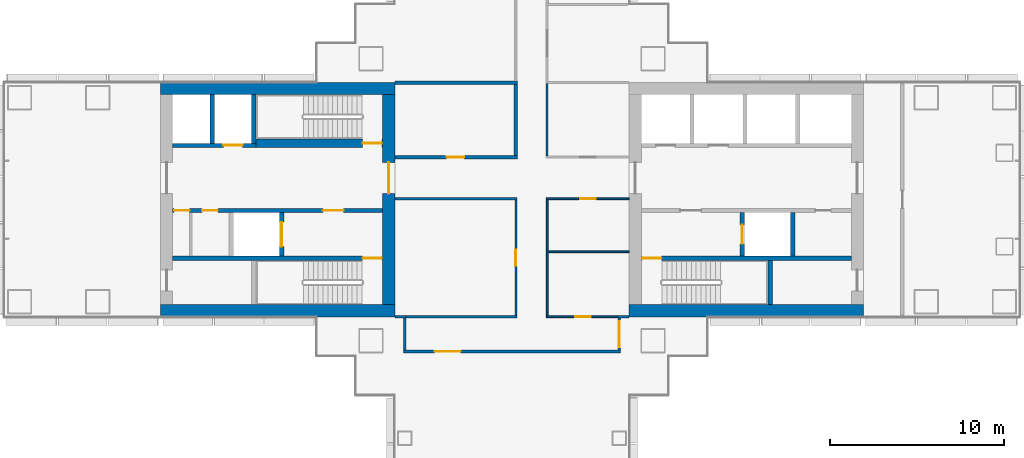
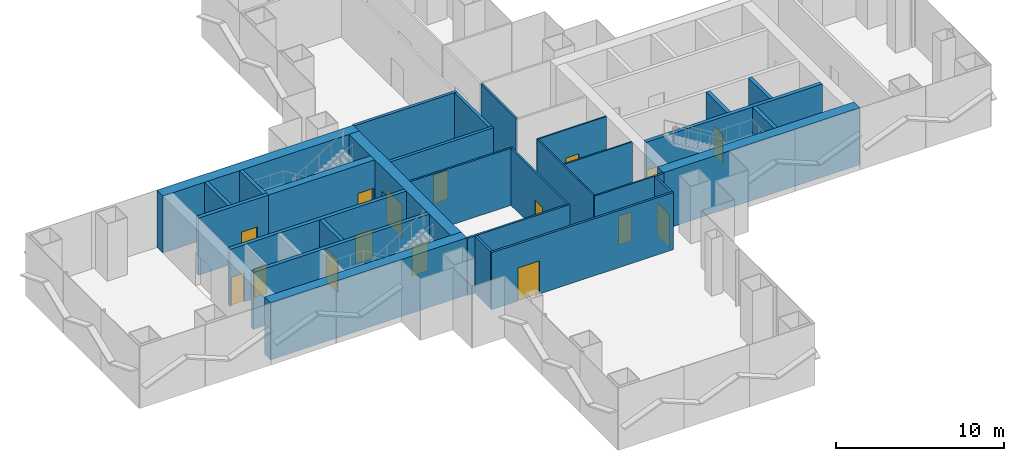
# One storey, part 14 of 22: 31 walls, 16 doors, 16 openings.
"""IFC4 building model written with IfcOpenShell, lengths in metres."""

from ifc_helpers import new_model, si_unit, direction, frame, frame_2d, origin, place, context, subcontext, project, spatial, rectangle, extrude, material, layer, layer_set, type_object, element, fill, save


model = new_model("IFC4")

# Units and contexts
model_context = context("Model", 3, precision=1e-05, world=origin(), true_north=direction((0.0, 1.0)))
body_context = subcontext(model_context, "Body", "Model", "MODEL_VIEW")
ifc_project = project(units=[si_unit("LENGTHUNIT", "METRE"), si_unit("AREAUNIT", "SQUARE_METRE"), si_unit("VOLUMEUNIT", "CUBIC_METRE"), si_unit("PLANEANGLEUNIT", "RADIAN"), si_unit("MASSUNIT", "GRAM", prefix="KILO")], contexts=[model_context])

# Site, building, storey
site_placement = place(None, origin())
site = spatial("IfcSite", under=ifc_project, at=site_placement, CompositionType="ELEMENT")
building_placement = place(site_placement, origin())
building = spatial("IfcBuilding", under=site, at=building_placement, Name="Shamsa Quay Exchange Towers", CompositionType="ELEMENT")
storey_placement = place(building_placement, frame((0.0, 0.0, 33.0)))
storey = spatial("IfcBuildingStorey", under=building, at=storey_placement, Name="L06", CompositionType="ELEMENT", Elevation=33.0)

# Walls
ifc_material_1 = material(Name="Concrete C80/95", Category="concrete")
ifc_layer_1 = layer(ifc_material_1, 0.699951171875)
ifc_layer_set_1 = layer_set([ifc_layer_1], Name="CORE WALL 700 C80/95")
wall_type_1 = type_object("IfcWallType", Name="CORE WALL 700 C80/95", PredefinedType="SHEAR", material=ifc_layer_set_1)
wall_1_placement = place(storey_placement, frame((-27.0, -6.39990234375, 0.0)))
element("IfcWall", 1, at=wall_1_placement, inside=storey, type_object=wall_type_1, Name="Core wall T1A-R02-PS", PredefinedType="SHEAR", context=body_context, shape_type="SweptSolid", body=[
    extrude(rectangle(XDim=13.5, YDim=0.699951171875, at=frame_2d((6.75, 0.0))), origin(), (0.0, 0.0, 1.0), 4.14990234375),
])
for number, where, z_axis, x_axis, name in (
    (2, (-40.5, -6.39990234375, 0.0), (0.0, 0.0, 1.0), (-1.0, 0.0, 0.0), "Core wall T1B-R02-PS"),
    (3, (-40.5, 6.39990234375, 0.0), (0.0, 0.0, 1.0), (-1.0, 0.0, 0.0), "Core wall T1B-R02-PN"),
):
    element("IfcWall", number, at=place(storey_placement, frame(where, z_axis=z_axis, x_axis=x_axis)), inside=storey, type_object=wall_type_1, Name=name, PredefinedType="SHEAR", context=body_context, shape_type="SweptSolid", body=[
        extrude(rectangle(XDim=13.5, YDim=0.699951171875, at=frame_2d((6.75, 0.0))), origin(), (0.0, 0.0, 1.0), 4.14990234375),
    ])

# Wall, opening, door
wall_2_placement = place(storey_placement, frame((-40.85009765625, -6.050048828125, 0.0), z_axis=(0.0, 0.0, 1.0), x_axis=(0.0, 1.0, 0.0)))
wall_2 = element("IfcWall", 4, at=wall_2_placement, inside=storey, type_object=wall_type_1, Name="Core wall T1B-R02-PF", PredefinedType="SHEAR", context=body_context, shape_type="SweptSolid", body=[
    extrude(rectangle(XDim=12.10009765625, YDim=0.699951171875, at=frame_2d((6.050048828125, 0.0))), origin(), (0.0, 0.0, 1.0), 4.14990234375),
])
opening_1_placement = place(wall_2_placement, frame((6.39990234375, 0.0, 0.0)))
opening_1 = element("IfcOpeningElement", 5, at=opening_1_placement, cuts=wall_2, Name="Opening T1B-R02-LBD01", PredefinedType="OPENING", context=body_context, shape_type="SweptSolid", body=[
    extrude(rectangle(XDim=1.800048828125, YDim=2.39990234375, at=frame_2d((0.89990234375, 1.199951171875))), frame((0.0, 0.35986328125, 0.0), z_axis=(0.0, -1.0, 0.0), x_axis=(1.0, 0.0, 0.0)), (0.0, 0.0, 1.0), 0.719970703125),
])
ifc_material_2 = material(Name="Steel, fire rated", Category="steel")
door_type_1 = type_object("IfcDoorType", Name="LIFT LOBBY DOOR PAIR 1800", OperationType="DOUBLE_DOOR_SINGLE_SWING", PredefinedType="DOOR", material=ifc_material_2)
door_1_placement = place(opening_1_placement, origin())
door_1 = element("IfcDoor", 6, at=door_1_placement, inside=storey, type_object=door_type_1, Name="T1B-R02-LBD01", OperationType="DOUBLE_DOOR_SINGLE_SWING", OverallHeight=2.39990234375, OverallWidth=1.800048828125, PredefinedType="DOOR", context=body_context, shape_type="SweptSolid", body=[
    extrude(rectangle(XDim=1.800048828125, YDim=2.39990234375, at=frame_2d((0.89990234375, 1.199951171875))), frame((0.0, 0.02490234375, 0.0), z_axis=(0.0, -1.0, 0.0), x_axis=(1.0, 0.0, 0.0)), (0.0, 0.0, 1.0), 0.050048828125),
])
fill(opening_1, door_1)

# Walls
ifc_material_3 = material(Name="Laminated fire-resisting glass in a metal frame", Category="glass")
ifc_layer_2 = layer(ifc_material_3, 0.125)
ifc_layer_set_2 = layer_set([ifc_layer_2], Name="Glazed partition 125 mm EI 60")
wall_type_2 = type_object("IfcWallType", Name="Glazed partition 125 mm EI 60", PredefinedType="PARTITIONING", material=ifc_layer_set_2)
wall_3_placement = place(storey_placement, frame((-31.724609375, 6.6875, 0.0), z_axis=(0.0, 0.0, 1.0), x_axis=(0.0, -1.0, 0.0)))
element("IfcWall", 7, at=wall_3_placement, inside=storey, type_object=wall_type_2, Name="Partition T1-R02-W02", PredefinedType="PARTITIONING", context=body_context, shape_type="SweptSolid", body=[
    extrude(rectangle(XDim=4.1748046875, YDim=0.125, at=frame_2d((2.08740234375, 0.0))), origin(), (0.0, 0.0, 1.0), 4.14990234375),
])
wall_4_placement = place(storey_placement, frame((-39.999755859375, -6.75, 0.0)))
element("IfcWall", 8, at=wall_4_placement, inside=storey, type_object=wall_type_2, Name="Partition T1-R02-W09", PredefinedType="PARTITIONING", context=body_context, shape_type="SweptSolid", body=[
    extrude(rectangle(XDim=6.536865234375, YDim=0.125, at=frame_2d((3.2685546875, 0.0))), origin(), (0.0, 0.0, 1.0), 4.14990234375),
])

# Wall, opening, door
wall_5_placement = place(storey_placement, frame((-33.525390625, -6.6875, 0.0), z_axis=(0.0, 0.0, 1.0), x_axis=(0.0, 1.0, 0.0)))
wall_5 = element("IfcWall", 9, at=wall_5_placement, inside=storey, type_object=wall_type_2, Name="Partition T1-R02-W10", PredefinedType="PARTITIONING", context=body_context, shape_type="SweptSolid", body=[
    extrude(rectangle(XDim=6.6748046875, YDim=0.125, at=frame_2d((3.33740234375, 0.0))), origin(), (0.0, 0.0, 1.0), 4.14990234375),
])
opening_2_placement = place(wall_5_placement, frame((2.887451171875, 0.0, 0.0)))
opening_2 = element("IfcOpeningElement", 10, at=opening_2_placement, cuts=wall_5, Name="Opening T1-R02-D03", PredefinedType="OPENING", context=body_context, shape_type="SweptSolid", body=[
    extrude(rectangle(XDim=0.89990234375, YDim=2.10009765625, at=frame_2d((0.449951171875, 1.050048828125))), frame((0.0, 0.072509765625, 0.0), z_axis=(0.0, -1.0, 0.0), x_axis=(1.0, 0.0, 0.0)), (0.0, 0.0, 1.0), 0.14501953125),
])
ifc_material_4 = material(Name="Timber door leaf in a metal frame", Category="wood")
door_type_2 = type_object("IfcDoorType", Name="Door 900x2100 FD30S", OperationType="NOTDEFINED", PredefinedType="DOOR", material=ifc_material_4)
door_2_placement = place(opening_2_placement, origin())
door_2 = element("IfcDoor", 11, at=door_2_placement, inside=storey, type_object=door_type_2, Name="Door T1-R02-D03", OperationType="SINGLE_SWING_RIGHT", OverallHeight=2.10009765625, OverallWidth=0.89990234375, PredefinedType="DOOR", context=body_context, shape_type="SweptSolid", body=[
    extrude(rectangle(XDim=0.89990234375, YDim=2.10009765625, at=frame_2d((0.449951171875, 1.050048828125))), frame((0.0, 0.02490234375, 0.0), z_axis=(0.0, -1.0, 0.0), x_axis=(1.0, 0.0, 0.0)), (0.0, 0.0, 1.0), 0.050048828125),
])
fill(opening_2, door_2)

# Walls
wall_6_placement = place(storey_placement, frame((-33.462890625, 0.0498046875, 0.0), z_axis=(0.0, 0.0, 1.0), x_axis=(-1.0, 0.0, 0.0)))
element("IfcWall", 12, at=wall_6_placement, inside=storey, type_object=wall_type_2, Name="Partition T1-R02-W12", PredefinedType="PARTITIONING", context=body_context, shape_type="SweptSolid", body=[
    extrude(rectangle(XDim=7.037109375, YDim=0.125, at=frame_2d((3.5185546875, 0.0))), origin(), (0.0, 0.0, 1.0), 4.14990234375),
])
ifc_material_5 = material(Name="Gypsum board partition on metal studs")
ifc_layer_3 = layer(ifc_material_5, 0.10009765625)
ifc_layer_set_3 = layer_set([ifc_layer_3], Name="Partition 100 mm NOT RATED")
wall_type_3 = type_object("IfcWallType", Name="Partition 100 mm NOT RATED", PredefinedType="PARTITIONING", material=ifc_layer_set_3)
wall_7_placement = place(storey_placement, frame((-31.724609375, -0.000244140625, 0.0), z_axis=(0.0, 0.0, 1.0), x_axis=(0.0, -1.0, 0.0)))
element("IfcWall", 13, at=wall_7_placement, inside=storey, type_object=wall_type_3, Name="Partition T1-R02-W04", PredefinedType="PARTITIONING", context=body_context, shape_type="SweptSolid", body=[
    extrude(rectangle(XDim=6.69970703125, YDim=0.10009765625, at=frame_2d((3.349853515625, 0.0))), origin(), (0.0, 0.0, 1.0), 4.14990234375),
])

# Wall, opening, door
wall_8_placement = place(storey_placement, frame((-31.774658203125, -6.75, 0.0)))
wall_8 = element("IfcWall", 14, at=wall_8_placement, inside=storey, type_object=wall_type_3, Name="Partition T1-R02-W05", PredefinedType="PARTITIONING", context=body_context, shape_type="SweptSolid", body=[
    extrude(rectangle(XDim=4.2744140625, YDim=0.10009765625, at=frame_2d((2.13720703125, 0.0))), origin(), (0.0, 0.0, 1.0), 4.14990234375),
])
opening_3_placement = place(wall_8_placement, frame((1.6748046875, 0.0, 0.0)))
opening_3 = element("IfcOpeningElement", 15, at=opening_3_placement, cuts=wall_8, Name="Opening T1-R02-D06", PredefinedType="OPENING", context=body_context, shape_type="SweptSolid", body=[
    extrude(rectangle(XDim=0.89990234375, YDim=2.10009765625, at=frame_2d((0.449951171875, 1.050048828125))), frame((0.0, 0.06005859375, 0.0), z_axis=(0.0, -1.0, 0.0), x_axis=(1.0, 0.0, 0.0)), (0.0, 0.0, 1.0), 0.1201171875),
])
door_type_3 = type_object("IfcDoorType", Name="Door 900x2100 NOT RATED", OperationType="NOTDEFINED", PredefinedType="DOOR", material=ifc_material_4)
door_3_placement = place(opening_3_placement, origin())
door_3 = element("IfcDoor", 16, at=door_3_placement, inside=storey, type_object=door_type_3, Name="Door T1-R02-D06", OperationType="SINGLE_SWING_RIGHT", OverallHeight=2.10009765625, OverallWidth=0.89990234375, PredefinedType="DOOR", context=body_context, shape_type="SweptSolid", body=[
    extrude(rectangle(XDim=0.89990234375, YDim=2.10009765625, at=frame_2d((0.449951171875, 1.050048828125))), frame((0.0, 0.02490234375, 0.0), z_axis=(0.0, -1.0, 0.0), x_axis=(1.0, 0.0, 0.0)), (0.0, 0.0, 1.0), 0.050048828125),
])
fill(opening_3, door_3)

wall_9_placement = place(storey_placement, frame((-27.0, 0.0498046875, 0.0), z_axis=(0.0, 0.0, 1.0), x_axis=(-1.0, 0.0, 0.0)))
wall_9 = element("IfcWall", 17, at=wall_9_placement, inside=storey, type_object=wall_type_3, Name="Partition T1-R02-W06", PredefinedType="PARTITIONING", context=body_context, shape_type="SweptSolid", body=[
    extrude(rectangle(XDim=4.774658203125, YDim=0.10009765625, at=frame_2d((2.38720703125, 0.0))), origin(), (0.0, 0.0, 1.0), 4.14990234375),
])
opening_4_placement = place(wall_9_placement, frame((1.912353515625, 0.0, 0.0)))
opening_4 = element("IfcOpeningElement", 18, at=opening_4_placement, cuts=wall_9, Name="Opening T1-R02-D11", PredefinedType="OPENING", context=body_context, shape_type="SweptSolid", body=[
    extrude(rectangle(XDim=0.89990234375, YDim=2.10009765625, at=frame_2d((0.449951171875, 1.050048828125))), frame((0.0, 0.06005859375, 0.0), z_axis=(0.0, -1.0, 0.0), x_axis=(1.0, 0.0, 0.0)), (0.0, 0.0, 1.0), 0.1201171875),
])
door_4_placement = place(opening_4_placement, origin())
door_4 = element("IfcDoor", 19, at=door_4_placement, inside=storey, type_object=door_type_3, Name="Door T1-R02-D11", OperationType="SINGLE_SWING_LEFT", OverallHeight=2.10009765625, OverallWidth=0.89990234375, PredefinedType="DOOR", context=body_context, shape_type="SweptSolid", body=[
    extrude(rectangle(XDim=0.89990234375, YDim=2.10009765625, at=frame_2d((0.449951171875, 1.050048828125))), frame((0.0, 0.02490234375, 0.0), z_axis=(0.0, -1.0, 0.0), x_axis=(1.0, 0.0, 0.0)), (0.0, 0.0, 1.0), 0.050048828125),
])
fill(opening_4, door_4)

# Wall
wall_10_placement = place(storey_placement, frame((-27.0, -3.0, 0.0), z_axis=(0.0, 0.0, 1.0), x_axis=(-1.0, 0.0, 0.0)))
element("IfcWall", 20, at=wall_10_placement, inside=storey, type_object=wall_type_3, Name="Partition T1-R02-W20", PredefinedType="PARTITIONING", context=body_context, shape_type="SweptSolid", body=[
    extrude(rectangle(XDim=4.674560546875, YDim=0.10009765625, at=frame_2d((2.33740234375, 0.0))), origin(), (0.0, 0.0, 1.0), 4.14990234375),
])

# Wall, opening, door
ifc_layer_4 = layer(ifc_material_5, 0.14990234375)
ifc_layer_set_4 = layer_set([ifc_layer_4], Name="Partition 150 mm EI 60")
wall_type_4 = type_object("IfcWallType", Name="Partition 150 mm EI 60", PredefinedType="PARTITIONING", material=ifc_layer_set_4)
wall_11_placement = place(storey_placement, frame((-27.5751953125, -8.675048828125, 0.0), z_axis=(0.0, 0.0, 1.0), x_axis=(0.0, 1.0, 0.0)))
wall_11 = element("IfcWall", 21, at=wall_11_placement, inside=storey, type_object=wall_type_4, Name="Partition T1-R02-W15", PredefinedType="PARTITIONING", context=body_context, shape_type="SweptSolid", body=[
    extrude(rectangle(XDim=1.85009765625, YDim=0.14990234375, at=frame_2d((0.925048828125, 0.0))), origin(), (0.0, 0.0, 1.0), 4.14990234375),
])
opening_5_placement = place(wall_11_placement, frame((0.175048828125, 0.0, 0.0)))
opening_5 = element("IfcOpeningElement", 22, at=opening_5_placement, cuts=wall_11, Name="Opening T1-R02-D10", PredefinedType="OPENING", context=body_context, shape_type="SweptSolid", body=[
    extrude(rectangle(XDim=1.5, YDim=2.39990234375, at=frame_2d((0.75, 1.199951171875))), frame((0.0, 0.0849609375, 0.0), z_axis=(0.0, -1.0, 0.0), x_axis=(1.0, 0.0, 0.0)), (0.0, 0.0, 1.0), 0.169921875),
])
door_type_4 = type_object("IfcDoorType", Name="Door 1500x2400 FD30S pair", OperationType="NOTDEFINED", PredefinedType="DOOR", material=ifc_material_4)
door_5_placement = place(opening_5_placement, origin())
door_5 = element("IfcDoor", 23, at=door_5_placement, inside=storey, type_object=door_type_4, Name="Door T1-R02-D10", OperationType="DOUBLE_DOOR_SINGLE_SWING", OverallHeight=2.39990234375, OverallWidth=1.5, PredefinedType="DOOR", context=body_context, shape_type="SweptSolid", body=[
    extrude(rectangle(XDim=1.5, YDim=2.39990234375, at=frame_2d((0.75, 1.199951171875))), frame((0.0, 0.02490234375, 0.0), z_axis=(0.0, -1.0, 0.0), x_axis=(1.0, 0.0, 0.0)), (0.0, 0.0, 1.0), 0.050048828125),
])
fill(opening_5, door_5)

wall_12_placement = place(storey_placement, frame((-39.999755859375, -8.75, 0.0)))
wall_12 = element("IfcWall", 24, at=wall_12_placement, inside=storey, type_object=wall_type_4, Name="Partition T1-R02-W16", PredefinedType="PARTITIONING", context=body_context, shape_type="SweptSolid", body=[
    extrude(rectangle(XDim=12.49951171875, YDim=0.14990234375, at=frame_2d((6.249755859375, 0.0))), origin(), (0.0, 0.0, 1.0), 4.14990234375),
])
opening_6_placement = place(wall_12_placement, frame((1.794921875, 0.0, 0.0)))
opening_6 = element("IfcOpeningElement", 25, at=opening_6_placement, cuts=wall_12, Name="Opening T1-R02-D02", PredefinedType="OPENING", context=body_context, shape_type="SweptSolid", body=[
    extrude(rectangle(XDim=1.5, YDim=2.39990234375, at=frame_2d((0.75, 1.199951171875))), frame((0.0, 0.0849609375, 0.0), z_axis=(0.0, -1.0, 0.0), x_axis=(1.0, 0.0, 0.0)), (0.0, 0.0, 1.0), 0.169921875),
])
door_6_placement = place(opening_6_placement, origin())
door_6 = element("IfcDoor", 26, at=door_6_placement, inside=storey, type_object=door_type_4, Name="Door T1-R02-D02", OperationType="DOUBLE_DOOR_SINGLE_SWING", OverallHeight=2.39990234375, OverallWidth=1.5, PredefinedType="DOOR", context=body_context, shape_type="SweptSolid", body=[
    extrude(rectangle(XDim=1.5, YDim=2.39990234375, at=frame_2d((0.75, 1.199951171875))), frame((0.0, 0.02490234375, 0.0), z_axis=(0.0, -1.0, 0.0), x_axis=(1.0, 0.0, 0.0)), (0.0, 0.0, 1.0), 0.050048828125),
])
fill(opening_6, door_6)

# Walls
wall_13_placement = place(storey_placement, frame((-39.9248046875, -6.824951171875, 0.0), z_axis=(0.0, 0.0, 1.0), x_axis=(0.0, -1.0, 0.0)))
element("IfcWall", 27, at=wall_13_placement, inside=storey, type_object=wall_type_4, Name="Partition T1-R02-W17", PredefinedType="PARTITIONING", context=body_context, shape_type="SweptSolid", body=[
    extrude(rectangle(XDim=1.85009765625, YDim=0.14990234375, at=frame_2d((0.925048828125, 0.0))), origin(), (0.0, 0.0, 1.0), 4.14990234375),
])
for number, where, name in (
    (28, (-40.5, -6.75, 0.0), "Partition T1-R02-W21"),
    (29, (-27.650146484375, -6.75, 0.0), "Partition T1-R02-W22"),
):
    element("IfcWall", number, at=place(storey_placement, frame(where)), inside=storey, type_object=wall_type_4, Name=name, PredefinedType="PARTITIONING", context=body_context, shape_type="SweptSolid", body=[
        extrude(rectangle(XDim=0.650146484375, YDim=0.14990234375, at=frame_2d((0.3251953125, 0.0))), origin(), (0.0, 0.0, 1.0), 4.14990234375),
    ])

# Wall, opening, door
ifc_layer_5 = layer(ifc_material_5, 0.199951171875)
ifc_layer_set_5 = layer_set([ifc_layer_5], Name="Partition 200 mm EI 120")
wall_type_5 = type_object("IfcWallType", Name="Partition 200 mm EI 120", PredefinedType="PARTITIONING", material=ifc_layer_set_5)
wall_14_placement = place(storey_placement, frame((-40.5, 2.4501953125, 0.0)))
wall_14 = element("IfcWall", 30, at=wall_14_placement, inside=storey, type_object=wall_type_5, Name="Partition T1-R02-W07", PredefinedType="PARTITIONING", context=body_context, shape_type="SweptSolid", body=[
    extrude(rectangle(XDim=7.07470703125, YDim=0.199951171875, at=frame_2d((3.537353515625, 0.0))), origin(), (0.0, 0.0, 1.0), 4.14990234375),
])
opening_7_placement = place(wall_14_placement, frame((2.9873046875, 0.0, 0.0)))
opening_7 = element("IfcOpeningElement", 31, at=opening_7_placement, cuts=wall_14, Name="Opening T1-R02-D01", PredefinedType="OPENING", context=body_context, shape_type="SweptSolid", body=[
    extrude(rectangle(XDim=1.0, YDim=2.10009765625, at=frame_2d((0.5, 1.050048828125))), frame((0.0, 0.10986328125, 0.0), z_axis=(0.0, -1.0, 0.0), x_axis=(1.0, 0.0, 0.0)), (0.0, 0.0, 1.0), 0.219970703125),
])
door_type_5 = type_object("IfcDoorType", Name="Door 1000x2100 FD60", OperationType="NOTDEFINED", PredefinedType="DOOR", material=ifc_material_4)
door_7_placement = place(opening_7_placement, origin())
door_7 = element("IfcDoor", 32, at=door_7_placement, inside=storey, type_object=door_type_5, Name="Door T1-R02-D01", OperationType="SINGLE_SWING_LEFT", OverallHeight=2.10009765625, OverallWidth=1.0, PredefinedType="DOOR", context=body_context, shape_type="SweptSolid", body=[
    extrude(rectangle(XDim=1.0, YDim=2.10009765625, at=frame_2d((0.5, 1.050048828125))), frame((0.0, 0.02490234375, 0.0), z_axis=(0.0, -1.0, 0.0), x_axis=(1.0, 0.0, 0.0)), (0.0, 0.0, 1.0), 0.050048828125),
])
fill(opening_7, door_7)

# Walls
wall_15_placement = place(storey_placement, frame((-33.525390625, 2.55029296875, 0.0), z_axis=(0.0, 0.0, 1.0), x_axis=(0.0, 1.0, 0.0)))
element("IfcWall", 33, at=wall_15_placement, inside=storey, type_object=wall_type_5, Name="Partition T1-R02-W08", PredefinedType="PARTITIONING", context=body_context, shape_type="SweptSolid", body=[
    extrude(rectangle(XDim=4.099609375, YDim=0.199951171875, at=frame_2d((2.0498046875, 0.0))), origin(), (0.0, 0.0, 1.0), 4.14990234375),
])
wall_16_placement = place(storey_placement, frame((-33.42529296875, 6.75, 0.0), z_axis=(0.0, 0.0, 1.0), x_axis=(-1.0, 0.0, 0.0)))
element("IfcWall", 34, at=wall_16_placement, inside=storey, type_object=wall_type_5, Name="Partition T1-R02-W23", PredefinedType="PARTITIONING", context=body_context, shape_type="SweptSolid", body=[
    extrude(rectangle(XDim=7.07470703125, YDim=0.199951171875, at=frame_2d((3.537353515625, 0.0))), origin(), (0.0, 0.0, 1.0), 4.14990234375),
])

# Wall, opening, door
ifc_material_6 = material(Name="Concrete C50/60", Category="concrete")
ifc_layer_6 = layer(ifc_material_6, 0.25)
ifc_layer_set_6 = layer_set([ifc_layer_6], Name="SHAFT WALL 250 C50/60")
wall_type_6 = type_object("IfcWallType", Name="SHAFT WALL 250 C50/60", PredefinedType="SHEAR", material=ifc_layer_set_6)
wall_17_placement = place(storey_placement, frame((-14.199951171875, -3.375, 0.0), z_axis=(0.0, 0.0, 1.0), x_axis=(-1.0, 0.0, 0.0)))
wall_17 = element("IfcWall", 35, at=wall_17_placement, inside=storey, type_object=wall_type_6, Name="Shaft wall T1A-R02-STL", PredefinedType="SHEAR", context=body_context, shape_type="SweptSolid", body=[
    extrude(rectangle(XDim=12.10009765625, YDim=0.25, at=frame_2d((6.050048828125, 0.0))), origin(), (0.0, 0.0, 1.0), 4.14990234375),
])
opening_8_placement = place(wall_17_placement, frame((10.949951171875, 0.0, 0.0)))
opening_8 = element("IfcOpeningElement", 36, at=opening_8_placement, cuts=wall_17, Name="Opening T1A-R02-SD04", PredefinedType="OPENING", context=body_context, shape_type="SweptSolid", body=[
    extrude(rectangle(XDim=1.10009765625, YDim=2.10009765625, at=frame_2d((0.550048828125, 1.050048828125))), frame((0.0, 0.135009765625, 0.0), z_axis=(0.0, -1.0, 0.0), x_axis=(1.0, 0.0, 0.0)), (0.0, 0.0, 1.0), 0.27001953125),
])
door_type_6 = type_object("IfcDoorType", Name="STAIR DOOR 1100", OperationType="SINGLE_SWING_LEFT", PredefinedType="DOOR", material=ifc_material_2)
door_8_placement = place(opening_8_placement, origin())
door_8 = element("IfcDoor", 37, at=door_8_placement, inside=storey, type_object=door_type_6, Name="T1A-R02-SD04", OperationType="SINGLE_SWING_RIGHT", OverallHeight=2.10009765625, OverallWidth=1.10009765625, PredefinedType="DOOR", context=body_context, shape_type="SweptSolid", body=[
    extrude(rectangle(XDim=1.10009765625, YDim=2.10009765625, at=frame_2d((0.550048828125, 1.050048828125))), frame((0.0, 0.02490234375, 0.0), z_axis=(0.0, -1.0, 0.0), x_axis=(1.0, 0.0, 0.0)), (0.0, 0.0, 1.0), 0.050048828125),
])
fill(opening_8, door_8)

# Wall
wall_18_placement = place(storey_placement, frame((-18.875, -6.050048828125, 0.0), z_axis=(0.0, 0.0, 1.0), x_axis=(0.0, 1.0, 0.0)))
element("IfcWall", 38, at=wall_18_placement, inside=storey, type_object=wall_type_6, Name="Shaft wall T1A-R02-STF", PredefinedType="SHEAR", context=body_context, shape_type="SweptSolid", body=[
    extrude(rectangle(XDim=2.550048828125, YDim=0.25, at=frame_2d((1.27490234375, 0.0))), origin(), (0.0, 0.0, 1.0), 4.14990234375),
])

# Wall, opening, door
wall_19_placement = place(storey_placement, frame((-20.47509765625, -3.25, 0.0), z_axis=(0.0, 0.0, 1.0), x_axis=(0.0, 1.0, 0.0)))
wall_19 = element("IfcWall", 39, at=wall_19_placement, inside=storey, type_object=wall_type_6, Name="Shaft wall T1A-R02-FFF", PredefinedType="SHEAR", context=body_context, shape_type="SweptSolid", body=[
    extrude(rectangle(XDim=2.5, YDim=0.25, at=frame_2d((1.25, 0.0))), origin(), (0.0, 0.0, 1.0), 4.14990234375),
])
opening_9_placement = place(wall_19_placement, frame((0.699951171875, 0.0, 0.0)))
opening_9 = element("IfcOpeningElement", 40, at=opening_9_placement, cuts=wall_19, Name="Opening T1A-R02-LDF07", PredefinedType="OPENING", context=body_context, shape_type="SweptSolid", body=[
    extrude(rectangle(XDim=1.10009765625, YDim=2.10009765625, at=frame_2d((0.550048828125, 1.050048828125))), frame((0.0, 0.135009765625, 0.0), z_axis=(0.0, -1.0, 0.0), x_axis=(1.0, 0.0, 0.0)), (0.0, 0.0, 1.0), 0.27001953125),
])
door_type_7 = type_object("IfcDoorType", Name="FIRE SERVICE LANDING DOOR 1100", OperationType="SLIDING_TO_LEFT", PredefinedType="DOOR", material=ifc_material_2)
door_9_placement = place(opening_9_placement, origin())
door_9 = element("IfcDoor", 41, at=door_9_placement, inside=storey, type_object=door_type_7, Name="T1A-R02-LDF07", OperationType="SLIDING_TO_LEFT", OverallHeight=2.10009765625, OverallWidth=1.10009765625, PredefinedType="DOOR", context=body_context, shape_type="SweptSolid", body=[
    extrude(rectangle(XDim=1.10009765625, YDim=2.10009765625, at=frame_2d((0.550048828125, 1.050048828125))), frame((0.0, 0.02490234375, 0.0), z_axis=(0.0, -1.0, 0.0), x_axis=(1.0, 0.0, 0.0)), (0.0, 0.0, 1.0), 0.050048828125),
])
fill(opening_9, door_9)

# Wall
wall_20_placement = place(storey_placement, frame((-17.574951171875, -3.25, 0.0), z_axis=(0.0, 0.0, 1.0), x_axis=(0.0, 1.0, 0.0)))
element("IfcWall", 42, at=wall_20_placement, inside=storey, type_object=wall_type_6, Name="Shaft wall T1A-R02-FFB", PredefinedType="SHEAR", context=body_context, shape_type="SweptSolid", body=[
    extrude(rectangle(XDim=2.5, YDim=0.25, at=frame_2d((1.25, 0.0))), origin(), (0.0, 0.0, 1.0), 4.14990234375),
])

# Wall, opening, door
wall_21_placement = place(storey_placement, frame((-41.199951171875, -3.375, 0.0), z_axis=(0.0, 0.0, 1.0), x_axis=(-1.0, 0.0, 0.0)))
wall_21 = element("IfcWall", 43, at=wall_21_placement, inside=storey, type_object=wall_type_6, Name="Shaft wall T1B-R02-STL", PredefinedType="SHEAR", context=body_context, shape_type="SweptSolid", body=[
    extrude(rectangle(XDim=12.10009765625, YDim=0.25, at=frame_2d((6.050048828125, 0.0))), origin(), (0.0, 0.0, 1.0), 4.14990234375),
])
opening_10_placement = place(wall_21_placement, frame((0.050048828125, 0.0, 0.0)))
opening_10 = element("IfcOpeningElement", 44, at=opening_10_placement, cuts=wall_21, Name="Opening T1B-R02-SD04", PredefinedType="OPENING", context=body_context, shape_type="SweptSolid", body=[
    extrude(rectangle(XDim=1.10009765625, YDim=2.10009765625, at=frame_2d((0.550048828125, 1.050048828125))), frame((0.0, 0.135009765625, 0.0), z_axis=(0.0, -1.0, 0.0), x_axis=(1.0, 0.0, 0.0)), (0.0, 0.0, 1.0), 0.27001953125),
])
door_10_placement = place(opening_10_placement, origin())
door_10 = element("IfcDoor", 45, at=door_10_placement, inside=storey, type_object=door_type_6, Name="T1B-R02-SD04", OperationType="SINGLE_SWING_LEFT", OverallHeight=2.10009765625, OverallWidth=1.10009765625, PredefinedType="DOOR", context=body_context, shape_type="SweptSolid", body=[
    extrude(rectangle(XDim=1.10009765625, YDim=2.10009765625, at=frame_2d((0.550048828125, 1.050048828125))), frame((0.0, 0.02490234375, 0.0), z_axis=(0.0, -1.0, 0.0), x_axis=(1.0, 0.0, 0.0)), (0.0, 0.0, 1.0), 0.050048828125),
])
fill(opening_10, door_10)

# Wall, openings, doors
wall_22_placement = place(storey_placement, frame((-41.199951171875, -0.625, 0.0), z_axis=(0.0, 0.0, 1.0), x_axis=(-1.0, 0.0, 0.0)))
wall_22 = element("IfcWall", 46, at=wall_22_placement, inside=storey, type_object=wall_type_6, Name="Shaft wall T1B-R02-B", PredefinedType="SHEAR", context=body_context, shape_type="SweptSolid", body=[
    extrude(rectangle(XDim=12.10009765625, YDim=0.25, at=frame_2d((6.050048828125, 0.0))), origin(), (0.0, 0.0, 1.0), 4.14990234375),
])
opening_11_placement = place(wall_22_placement, frame((2.25, 0.0, 0.0)))
opening_11 = element("IfcOpeningElement", 47, at=opening_11_placement, cuts=wall_22, Name="Opening T1B-R02-FD05", PredefinedType="OPENING", context=body_context, shape_type="SweptSolid", body=[
    extrude(rectangle(XDim=1.199951171875, YDim=2.10009765625, at=frame_2d((0.60009765625, 1.050048828125))), frame((0.0, 0.135009765625, 0.0), z_axis=(0.0, -1.0, 0.0), x_axis=(1.0, 0.0, 0.0)), (0.0, 0.0, 1.0), 0.27001953125),
])
opening_12_placement = place(wall_22_placement, frame((9.5, 0.0, 0.0)))
opening_12 = element("IfcOpeningElement", 48, at=opening_12_placement, cuts=wall_22, Name="Opening T1B-R02-SV06", PredefinedType="OPENING", context=body_context, shape_type="SweptSolid", body=[
    extrude(rectangle(XDim=0.89990234375, YDim=2.10009765625, at=frame_2d((0.449951171875, 1.050048828125))), frame((0.0, 0.135009765625, 0.0), z_axis=(0.0, -1.0, 0.0), x_axis=(1.0, 0.0, 0.0)), (0.0, 0.0, 1.0), 0.27001953125),
])
opening_13_placement = place(wall_22_placement, frame((11.125, 0.0, 0.0)))
opening_13 = element("IfcOpeningElement", 49, at=opening_13_placement, cuts=wall_22, Name="Opening T1B-R02-SV07", PredefinedType="OPENING", context=body_context, shape_type="SweptSolid", body=[
    extrude(rectangle(XDim=0.89990234375, YDim=2.10009765625, at=frame_2d((0.449951171875, 1.050048828125))), frame((0.0, 0.135009765625, 0.0), z_axis=(0.0, -1.0, 0.0), x_axis=(1.0, 0.0, 0.0)), (0.0, 0.0, 1.0), 0.27001953125),
])
door_type_8 = type_object("IfcDoorType", Name="FIRE SERVICE LOBBY DOOR 1200", OperationType="SINGLE_SWING_LEFT", PredefinedType="DOOR", material=ifc_material_2)
door_11_placement = place(opening_11_placement, origin())
door_11 = element("IfcDoor", 50, at=door_11_placement, inside=storey, type_object=door_type_8, Name="T1B-R02-FD05", OperationType="SINGLE_SWING_LEFT", OverallHeight=2.10009765625, OverallWidth=1.199951171875, PredefinedType="DOOR", context=body_context, shape_type="SweptSolid", body=[
    extrude(rectangle(XDim=1.199951171875, YDim=2.10009765625, at=frame_2d((0.60009765625, 1.050048828125))), frame((0.0, 0.02490234375, 0.0), z_axis=(0.0, -1.0, 0.0), x_axis=(1.0, 0.0, 0.0)), (0.0, 0.0, 1.0), 0.050048828125),
])
fill(opening_11, door_11)
door_type_9 = type_object("IfcDoorType", Name="SERVICE ROOM DOOR 900", OperationType="SINGLE_SWING_LEFT", PredefinedType="DOOR", material=ifc_material_2)
door_12_placement = place(opening_12_placement, origin())
door_12 = element("IfcDoor", 51, at=door_12_placement, inside=storey, type_object=door_type_9, Name="T1B-R02-SV06", OperationType="SINGLE_SWING_RIGHT", OverallHeight=2.10009765625, OverallWidth=0.89990234375, PredefinedType="DOOR", context=body_context, shape_type="SweptSolid", body=[
    extrude(rectangle(XDim=0.89990234375, YDim=2.10009765625, at=frame_2d((0.449951171875, 1.050048828125))), frame((0.0, 0.02490234375, 0.0), z_axis=(0.0, -1.0, 0.0), x_axis=(1.0, 0.0, 0.0)), (0.0, 0.0, 1.0), 0.050048828125),
])
fill(opening_12, door_12)
door_13_placement = place(opening_13_placement, origin())
door_13 = element("IfcDoor", 52, at=door_13_placement, inside=storey, type_object=door_type_9, Name="T1B-R02-SV07", OperationType="SINGLE_SWING_RIGHT", OverallHeight=2.10009765625, OverallWidth=0.89990234375, PredefinedType="DOOR", context=body_context, shape_type="SweptSolid", body=[
    extrude(rectangle(XDim=0.89990234375, YDim=2.10009765625, at=frame_2d((0.449951171875, 1.050048828125))), frame((0.0, 0.02490234375, 0.0), z_axis=(0.0, -1.0, 0.0), x_axis=(1.0, 0.0, 0.0)), (0.0, 0.0, 1.0), 0.050048828125),
])
fill(opening_13, door_13)

# Wall, opening, door
wall_23_placement = place(storey_placement, frame((-47.02490234375, -3.25, 0.0), z_axis=(0.0, 0.0, 1.0), x_axis=(0.0, 1.0, 0.0)))
wall_23 = element("IfcWall", 53, at=wall_23_placement, inside=storey, type_object=wall_type_6, Name="Shaft wall T1B-R02-FFF", PredefinedType="SHEAR", context=body_context, shape_type="SweptSolid", body=[
    extrude(rectangle(XDim=2.5, YDim=0.25, at=frame_2d((1.25, 0.0))), origin(), (0.0, 0.0, 1.0), 4.14990234375),
])
opening_14_placement = place(wall_23_placement, frame((0.550048828125, 0.0, 0.0)))
opening_14 = element("IfcOpeningElement", 54, at=opening_14_placement, cuts=wall_23, Name="Opening T1B-R02-LDG08", PredefinedType="OPENING", context=body_context, shape_type="SweptSolid", body=[
    extrude(rectangle(XDim=1.39990234375, YDim=2.39990234375, at=frame_2d((0.699951171875, 1.199951171875))), frame((0.0, 0.135009765625, 0.0), z_axis=(0.0, -1.0, 0.0), x_axis=(1.0, 0.0, 0.0)), (0.0, 0.0, 1.0), 0.27001953125),
])
door_type_10 = type_object("IfcDoorType", Name="GOODS LIFT LANDING DOOR 1400", OperationType="SLIDING_TO_LEFT", PredefinedType="DOOR", material=ifc_material_2)
door_14_placement = place(opening_14_placement, origin())
door_14 = element("IfcDoor", 55, at=door_14_placement, inside=storey, type_object=door_type_10, Name="T1B-R02-LDG08", OperationType="SLIDING_TO_LEFT", OverallHeight=2.39990234375, OverallWidth=1.39990234375, PredefinedType="DOOR", context=body_context, shape_type="SweptSolid", body=[
    extrude(rectangle(XDim=1.39990234375, YDim=2.39990234375, at=frame_2d((0.699951171875, 1.199951171875))), frame((0.0, 0.02490234375, 0.0), z_axis=(0.0, -1.0, 0.0), x_axis=(1.0, 0.0, 0.0)), (0.0, 0.0, 1.0), 0.050048828125),
])
fill(opening_14, door_14)

wall_24_placement = place(storey_placement, frame((-48.5, 3.125, 0.0), z_axis=(0.0, 0.0, 1.0), x_axis=(-1.0, 0.0, 0.0)))
wall_24 = element("IfcWall", 56, at=wall_24_placement, inside=storey, type_object=wall_type_6, Name="Shaft wall T1B-R02-N2", PredefinedType="SHEAR", context=body_context, shape_type="SweptSolid", body=[
    extrude(rectangle(XDim=4.800048828125, YDim=0.25, at=frame_2d((2.39990234375, 0.0))), origin(), (0.0, 0.0, 1.0), 4.14990234375),
])
opening_15_placement = place(wall_24_placement, frame((0.77490234375, 0.0, 0.0)))
opening_15 = element("IfcOpeningElement", 57, at=opening_15_placement, cuts=wall_24, Name="Opening T1B-R02-LD10", PredefinedType="OPENING", context=body_context, shape_type="SweptSolid", body=[
    extrude(rectangle(XDim=1.10009765625, YDim=2.10009765625, at=frame_2d((0.550048828125, 1.050048828125))), frame((0.0, 0.135009765625, 0.0), z_axis=(0.0, -1.0, 0.0), x_axis=(1.0, 0.0, 0.0)), (0.0, 0.0, 1.0), 0.27001953125),
])
door_type_11 = type_object("IfcDoorType", Name="LANDING DOOR 1100", OperationType="SLIDING_TO_LEFT", PredefinedType="DOOR", material=ifc_material_2)
door_15_placement = place(opening_15_placement, origin())
door_15 = element("IfcDoor", 58, at=door_15_placement, inside=storey, type_object=door_type_11, Name="T1B-R02-LD10", OperationType="SLIDING_TO_LEFT", OverallHeight=2.10009765625, OverallWidth=1.10009765625, PredefinedType="DOOR", context=body_context, shape_type="SweptSolid", body=[
    extrude(rectangle(XDim=1.10009765625, YDim=2.10009765625, at=frame_2d((0.550048828125, 1.050048828125))), frame((0.0, 0.02490234375, 0.0), z_axis=(0.0, -1.0, 0.0), x_axis=(1.0, 0.0, 0.0)), (0.0, 0.0, 1.0), 0.050048828125),
])
fill(opening_15, door_15)

# Walls
for number, where, z_axis, x_axis, name in (
    (59, (-48.625, 3.25, 0.0), (0.0, 0.0, 1.0), (0.0, 1.0, 0.0), "Shaft wall T1B-R02-STF2"),
    (60, (-51.02490234375, 3.25, 0.0), (0.0, 0.0, 1.0), (0.0, 1.0, 0.0), "Shaft wall T1B-R02-D0"),
):
    element("IfcWall", number, at=place(storey_placement, frame(where, z_axis=z_axis, x_axis=x_axis)), inside=storey, type_object=wall_type_6, Name=name, PredefinedType="SHEAR", context=body_context, shape_type="SweptSolid", body=[
        extrude(rectangle(XDim=2.800048828125, YDim=0.25, at=frame_2d((1.39990234375, 0.0))), origin(), (0.0, 0.0, 1.0), 4.14990234375),
    ])

# Wall, opening, door
ifc_layer_7 = layer(ifc_material_6, 0.5)
ifc_layer_set_7 = layer_set([ifc_layer_7], Name="SHAFT WALL 500 C50/60")
wall_type_7 = type_object("IfcWallType", Name="SHAFT WALL 500 C50/60", PredefinedType="SHEAR", material=ifc_layer_set_7)
wall_25_placement = place(storey_placement, frame((-48.5, 3.25, 0.0)))
wall_25 = element("IfcWall", 61, at=wall_25_placement, inside=storey, type_object=wall_type_7, Name="Shaft wall T1B-R02-N", PredefinedType="SHEAR", context=body_context, shape_type="SweptSolid", body=[
    extrude(rectangle(XDim=7.300048828125, YDim=0.5, at=frame_2d((3.64990234375, 0.0))), origin(), (0.0, 0.0, 1.0), 4.14990234375),
])
opening_16_placement = place(wall_25_placement, frame((6.14990234375, 0.0, 0.0)))
opening_16 = element("IfcOpeningElement", 62, at=opening_16_placement, cuts=wall_25, Name="Opening T1B-R02-SD09", PredefinedType="OPENING", context=body_context, shape_type="SweptSolid", body=[
    extrude(rectangle(XDim=1.10009765625, YDim=2.10009765625, at=frame_2d((0.550048828125, 1.050048828125))), frame((0.0, 0.260009765625, 0.0), z_axis=(0.0, -1.0, 0.0), x_axis=(1.0, 0.0, 0.0)), (0.0, 0.0, 1.0), 0.52001953125),
])
door_16_placement = place(opening_16_placement, origin())
door_16 = element("IfcDoor", 63, at=door_16_placement, inside=storey, type_object=door_type_6, Name="T1B-R02-SD09", OperationType="SINGLE_SWING_RIGHT", OverallHeight=2.10009765625, OverallWidth=1.10009765625, PredefinedType="DOOR", context=body_context, shape_type="SweptSolid", body=[
    extrude(rectangle(XDim=1.10009765625, YDim=2.10009765625, at=frame_2d((0.550048828125, 1.050048828125))), frame((0.0, 0.02490234375, 0.0), z_axis=(0.0, -1.0, 0.0), x_axis=(1.0, 0.0, 0.0)), (0.0, 0.0, 1.0), 0.050048828125),
])
fill(opening_16, door_16)

save(model, "model.ifc")
